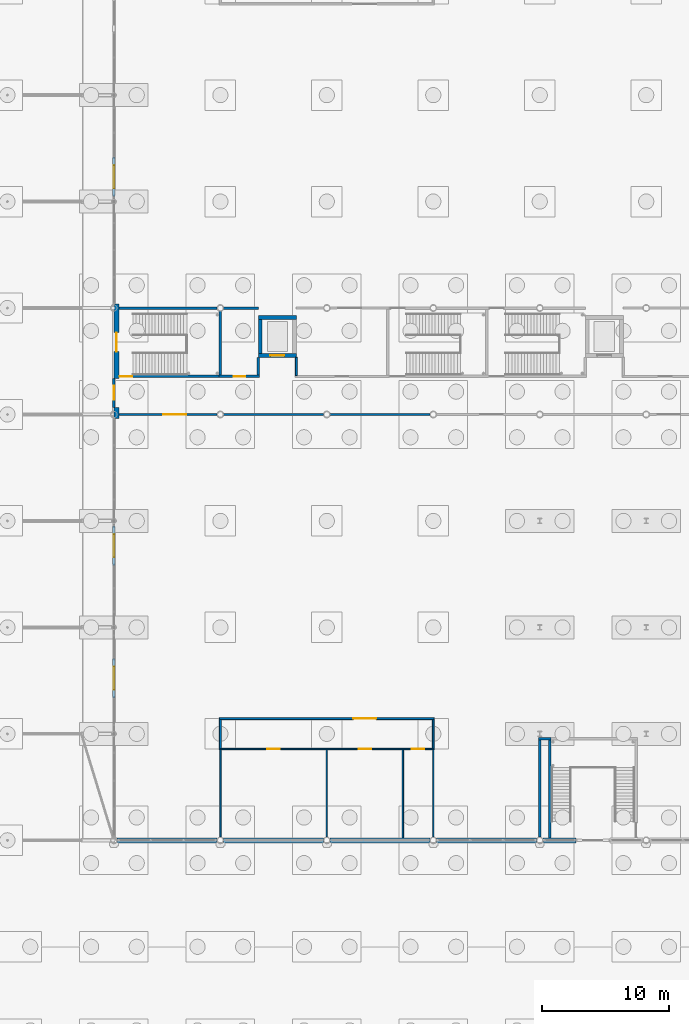
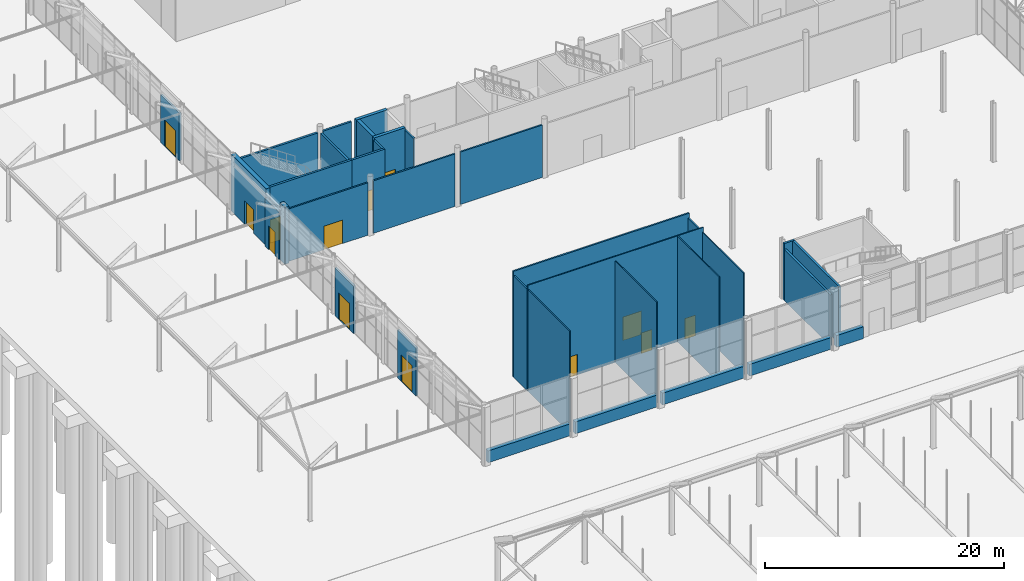
# One storey, part 181 of 212: 35 walls, 13 doors, 13 openings.
"""IFC4 building model written with IfcOpenShell, lengths in metres."""

from ifc_helpers import new_model, si_unit, direction, frame, frame_2d, origin, place, context, subcontext, project, spatial, rectangle, extrude, material, layer, layer_set, type_object, element, fill, save


model = new_model("IFC4")

# Units and contexts
model_context = context("Model", 3, precision=1e-05, world=origin(), true_north=direction((0.0, 1.0)))
body_context = subcontext(model_context, "Body", "Model", "MODEL_VIEW")
ifc_project = project(units=[si_unit("LENGTHUNIT", "METRE"), si_unit("AREAUNIT", "SQUARE_METRE"), si_unit("VOLUMEUNIT", "CUBIC_METRE"), si_unit("PLANEANGLEUNIT", "RADIAN"), si_unit("MASSUNIT", "GRAM", prefix="KILO")], contexts=[model_context])

# Site, building, storey
site_placement = place(None, origin())
site = spatial("IfcSite", under=ifc_project, at=site_placement, CompositionType="ELEMENT")
building_placement = place(site_placement, origin())
building = spatial("IfcBuilding", under=site, at=building_placement, Name="Catenary Quay Ferry Terminal", CompositionType="ELEMENT")
storey_placement = place(building_placement, origin())
storey = spatial("IfcBuildingStorey", under=building, at=storey_placement, Name="L00", CompositionType="ELEMENT", Elevation=0.0)

# Walls
ifc_material_1 = material(Name="Masonry and insulation", Category="masonry")
ifc_layer_1 = layer(ifc_material_1, 0.39990234375)
ifc_layer_set_1 = layer_set([ifc_layer_1], Name="EW14")
wall_type_1 = type_object("IfcWallType", Name="EW14", PredefinedType="SOLIDWALL", material=ifc_layer_set_1)
wall_1_placement = place(storey_placement, frame((25.4599609375, 67.199951171875, 0.0), z_axis=(0.0, 0.0, 1.0), x_axis=(1.0, 0.0, 0.0)))
element("IfcWall", 1, at=wall_1_placement, inside=storey, type_object=wall_type_1, Name="Plinth hall wall WL8", PredefinedType="SOLIDWALL", context=body_context, shape_type="SweptSolid", body=[
    extrude(rectangle(XDim=7.880126953125, YDim=0.39990234375, at=frame_2d((3.93994140625, 0.0))), origin(), (0.0, 0.0, 1.0), 1.199951171875),
])
for number, where, z_axis, x_axis, name in (
    (2, (33.860107421875, 67.199951171875, 0.0), (0.0, 0.0, 1.0), (1.0, 0.0, 0.0), "Plinth hall wall WL9"),
    (3, (42.260009765625, 67.199951171875, 0.0), (0.0, 0.0, 1.0), (1.0, 0.0, 0.0), "Plinth hall wall WL10"),
):
    element("IfcWall", number, at=place(storey_placement, frame(where, z_axis=z_axis, x_axis=x_axis)), inside=storey, type_object=wall_type_1, Name=name, PredefinedType="SOLIDWALL", context=body_context, shape_type="SweptSolid", body=[
        extrude(rectangle(XDim=7.8798828125, YDim=0.39990234375, at=frame_2d((3.93994140625, 0.0))), origin(), (0.0, 0.0, 1.0), 1.199951171875),
    ])
wall_2_placement = place(storey_placement, frame((50.659912109375, 67.199951171875, 0.0), z_axis=(0.0, 0.0, 1.0), x_axis=(1.0, 0.0, 0.0)))
element("IfcWall", 4, at=wall_2_placement, inside=storey, type_object=wall_type_1, Name="Plinth hall wall WL11", PredefinedType="SOLIDWALL", context=body_context, shape_type="SweptSolid", body=[
    extrude(rectangle(XDim=7.880126953125, YDim=0.39990234375, at=frame_2d((3.93994140625, 0.0))), origin(), (0.0, 0.0, 1.0), 1.199951171875),
])
wall_3_placement = place(storey_placement, frame((59.06005859375, 67.199951171875, 0.0), z_axis=(0.0, 0.0, 1.0), x_axis=(1.0, 0.0, 0.0)))
element("IfcWall", 5, at=wall_3_placement, inside=storey, type_object=wall_type_1, Name="Plinth hall wall WL12", PredefinedType="SOLIDWALL", context=body_context, shape_type="SweptSolid", body=[
    extrude(rectangle(XDim=2.58984375, YDim=0.39990234375, at=frame_2d((1.294921875, 0.0))), origin(), (0.0, 0.0, 1.0), 1.199951171875),
])
ifc_material_2 = material(Name="Masonry and insulation", Category="masonry")
ifc_layer_2 = layer(ifc_material_2, 0.39990234375)
ifc_layer_set_2 = layer_set([ifc_layer_2], Name="EW2")
wall_type_2 = type_object("IfcWallType", Name="EW2", PredefinedType="SOLIDWALL", material=ifc_layer_set_2)
wall_4_placement = place(storey_placement, frame((25.39990234375, 100.5, 0.0), z_axis=(0.0, 0.0, 1.0), x_axis=(0.0, 1.0, 0.0)))
element("IfcWall", 6, at=wall_4_placement, inside=storey, type_object=wall_type_2, Name="P12 wall WL167", PredefinedType="SOLIDWALL", context=body_context, shape_type="SweptSolid", body=[
    extrude(rectangle(XDim=0.85009765625, YDim=0.39990234375, at=frame_2d((0.425048828125, 0.0))), origin(), (0.0, 0.0, 1.0), 5.800048828125),
])

# Wall, opening, door
wall_5_placement = place(storey_placement, frame((25.39990234375, 103.64990234375, 0.0), z_axis=(0.0, 0.0, 1.0), x_axis=(0.0, 1.0, 0.0)))
wall_5 = element("IfcWall", 7, at=wall_5_placement, inside=storey, type_object=wall_type_2, Name="P13 wall WL168", PredefinedType="SOLIDWALL", context=body_context, shape_type="SweptSolid", body=[
    extrude(rectangle(XDim=5.85009765625, YDim=0.39990234375, at=frame_2d((2.925048828125, 0.0))), origin(), (0.0, 0.0, 1.0), 5.800048828125),
])
opening_1_placement = place(wall_5_placement, frame((2.10009765625, 0.0, 0.0)))
opening_1 = element("IfcOpeningElement", 8, at=opening_1_placement, cuts=wall_5, Name="Opening D30", PredefinedType="OPENING", context=body_context, shape_type="SweptSolid", body=[
    extrude(rectangle(XDim=1.5, YDim=2.39990234375, at=frame_2d((0.75, 1.199951171875))), frame((0.0, 0.2099609375, 0.0), z_axis=(0.0, -1.0, 0.0), x_axis=(1.0, 0.0, 0.0)), (0.0, 0.0, 1.0), 0.419921875),
])
ifc_material_3 = material(Name="Steel", Category="steel")
door_type_1 = type_object("IfcDoorType", Name="DXE1500", OperationType="SINGLE_SWING_LEFT", PredefinedType="DOOR", material=ifc_material_3)
door_1_placement = place(opening_1_placement, origin())
door_1 = element("IfcDoor", 9, at=door_1_placement, inside=storey, type_object=door_type_1, Name="TS1 door D30", OperationType="SINGLE_SWING_LEFT", OverallHeight=2.39990234375, OverallWidth=1.5, PredefinedType="DOOR", context=body_context, shape_type="SweptSolid", body=[
    extrude(rectangle(XDim=1.5, YDim=2.39990234375, at=frame_2d((0.75, 1.199951171875))), frame((0.0, 0.02490234375, 0.0), z_axis=(0.0, -1.0, 0.0), x_axis=(1.0, 0.0, 0.0)), (0.0, 0.0, 1.0), 0.050048828125),
])
fill(opening_1, door_1)

ifc_material_4 = material(Name="Masonry and insulation", Category="masonry")
ifc_layer_3 = layer(ifc_material_4, 0.199951171875)
ifc_layer_set_3 = layer_set([ifc_layer_3], Name="EW6")
wall_type_3 = type_object("IfcWallType", Name="EW6", PredefinedType="SOLIDWALL", material=ifc_layer_set_3)
wall_6_placement = place(storey_placement, frame((25.199951171875, 78.445068359375, 0.0), z_axis=(0.0, 0.0, 1.0), x_axis=(0.0, 1.0, 0.0)))
wall_6 = element("IfcWall", 10, at=wall_6_placement, inside=storey, type_object=wall_type_3, Name="Gable arrivals hall wall WL1", PredefinedType="SOLIDWALL", context=body_context, shape_type="SweptSolid", body=[
    extrude(rectangle(XDim=3.10986328125, YDim=0.199951171875, at=frame_2d((1.554931640625, 0.0))), origin(), (0.0, 0.0, 1.0), 4.873291015625),
])
opening_2_placement = place(wall_6_placement, frame((0.655029296875, 0.0, 0.0)))
opening_2 = element("IfcOpeningElement", 11, at=opening_2_placement, cuts=wall_6, Name="Opening D1", PredefinedType="OPENING", context=body_context, shape_type="SweptSolid", body=[
    extrude(rectangle(XDim=1.800048828125, YDim=2.699951171875, at=frame_2d((0.89990234375, 1.35009765625))), frame((0.0, 0.10986328125, 0.0), z_axis=(0.0, -1.0, 0.0), x_axis=(1.0, 0.0, 0.0)), (0.0, 0.0, 1.0), 0.219970703125),
])
ifc_material_5 = material(Name="Aluminium and glass", Category="aluminium")
door_type_2 = type_object("IfcDoorType", Name="DXT1800", OperationType="SLIDING_TO_LEFT", PredefinedType="DOOR", material=ifc_material_5)
door_2_placement = place(opening_2_placement, origin())
door_2 = element("IfcDoor", 12, at=door_2_placement, inside=storey, type_object=door_type_2, Name="Gable arrivals hall door D1", OperationType="SLIDING_TO_LEFT", OverallHeight=2.699951171875, OverallWidth=1.800048828125, PredefinedType="DOOR", context=body_context, shape_type="SweptSolid", body=[
    extrude(rectangle(XDim=1.800048828125, YDim=2.699951171875, at=frame_2d((0.89990234375, 1.35009765625))), frame((0.0, 0.02490234375, 0.0), z_axis=(0.0, -1.0, 0.0), x_axis=(1.0, 0.0, 0.0)), (0.0, 0.0, 1.0), 0.050048828125),
])
fill(opening_2, door_2)

wall_7_placement = place(storey_placement, frame((25.199951171875, 88.89501953125, 0.0), z_axis=(0.0, 0.0, 1.0), x_axis=(0.0, 1.0, 0.0)))
wall_7 = element("IfcWall", 13, at=wall_7_placement, inside=storey, type_object=wall_type_3, Name="Gable arrivals hall wall WL2", PredefinedType="SOLIDWALL", context=body_context, shape_type="SweptSolid", body=[
    extrude(rectangle(XDim=3.10986328125, YDim=0.199951171875, at=frame_2d((1.554931640625, 0.0))), origin(), (0.0, 0.0, 1.0), 4.873291015625),
])
opening_3_placement = place(wall_7_placement, frame((0.655029296875, 0.0, 0.0)))
opening_3 = element("IfcOpeningElement", 14, at=opening_3_placement, cuts=wall_7, Name="Opening D2", PredefinedType="OPENING", context=body_context, shape_type="SweptSolid", body=[
    extrude(rectangle(XDim=1.800048828125, YDim=2.699951171875, at=frame_2d((0.89990234375, 1.35009765625))), frame((0.0, 0.10986328125, 0.0), z_axis=(0.0, -1.0, 0.0), x_axis=(1.0, 0.0, 0.0)), (0.0, 0.0, 1.0), 0.219970703125),
])
door_3_placement = place(opening_3_placement, origin())
door_3 = element("IfcDoor", 15, at=door_3_placement, inside=storey, type_object=door_type_2, Name="Gable arrivals hall door D2", OperationType="SLIDING_TO_LEFT", OverallHeight=2.699951171875, OverallWidth=1.800048828125, PredefinedType="DOOR", context=body_context, shape_type="SweptSolid", body=[
    extrude(rectangle(XDim=1.800048828125, YDim=2.699951171875, at=frame_2d((0.89990234375, 1.35009765625))), frame((0.0, 0.02490234375, 0.0), z_axis=(0.0, -1.0, 0.0), x_axis=(1.0, 0.0, 0.0)), (0.0, 0.0, 1.0), 0.050048828125),
])
fill(opening_3, door_3)

wall_8_placement = place(storey_placement, frame((25.199951171875, 117.9951171875, 0.0), z_axis=(0.0, 0.0, 1.0), x_axis=(0.0, 1.0, 0.0)))
wall_8 = element("IfcWall", 16, at=wall_8_placement, inside=storey, type_object=wall_type_3, Name="Gable departure hall wall WL5", PredefinedType="SOLIDWALL", context=body_context, shape_type="SweptSolid", body=[
    extrude(rectangle(XDim=3.10986328125, YDim=0.199951171875, at=frame_2d((1.554931640625, 0.0))), origin(), (0.0, 0.0, 1.0), 4.873291015625),
])
opening_4_placement = place(wall_8_placement, frame((0.655029296875, 0.0, 0.0)))
opening_4 = element("IfcOpeningElement", 17, at=opening_4_placement, cuts=wall_8, Name="Opening D5", PredefinedType="OPENING", context=body_context, shape_type="SweptSolid", body=[
    extrude(rectangle(XDim=1.800048828125, YDim=2.699951171875, at=frame_2d((0.89990234375, 1.35009765625))), frame((0.0, 0.10986328125, 0.0), z_axis=(0.0, -1.0, 0.0), x_axis=(1.0, 0.0, 0.0)), (0.0, 0.0, 1.0), 0.219970703125),
])
door_4_placement = place(opening_4_placement, origin())
door_4 = element("IfcDoor", 18, at=door_4_placement, inside=storey, type_object=door_type_2, Name="Gable departure hall door D5", OperationType="SLIDING_TO_LEFT", OverallHeight=2.699951171875, OverallWidth=1.800048828125, PredefinedType="DOOR", context=body_context, shape_type="SweptSolid", body=[
    extrude(rectangle(XDim=1.800048828125, YDim=2.699951171875, at=frame_2d((0.89990234375, 1.35009765625))), frame((0.0, 0.02490234375, 0.0), z_axis=(0.0, -1.0, 0.0), x_axis=(1.0, 0.0, 0.0)), (0.0, 0.0, 1.0), 0.050048828125),
])
fill(opening_4, door_4)

wall_9_placement = place(storey_placement, frame((25.199951171875, 101.35009765625, 0.0), z_axis=(0.0, 0.0, 1.0), x_axis=(0.0, 1.0, 0.0)))
wall_9 = element("IfcWall", 19, at=wall_9_placement, inside=storey, type_object=wall_type_3, Name="Front spine corridor wall WL28", PredefinedType="SOLIDWALL", context=body_context, shape_type="SweptSolid", body=[
    extrude(rectangle(XDim=2.2998046875, YDim=0.199951171875, at=frame_2d((1.14990234375, 0.0))), origin(), (0.0, 0.0, 1.0), 4.873291015625),
])
opening_5_placement = place(wall_9_placement, frame((0.60009765625, 0.0, 0.0)))
opening_5 = element("IfcOpeningElement", 20, at=opening_5_placement, cuts=wall_9, Name="Opening D10", PredefinedType="OPENING", context=body_context, shape_type="SweptSolid", body=[
    extrude(rectangle(XDim=1.10009765625, YDim=2.39990234375, at=frame_2d((0.550048828125, 1.199951171875))), frame((0.0, 0.10986328125, 0.0), z_axis=(0.0, -1.0, 0.0), x_axis=(1.0, 0.0, 0.0)), (0.0, 0.0, 1.0), 0.219970703125),
])
ifc_material_6 = material(Name="Steel", Category="steel")
door_type_3 = type_object("IfcDoorType", Name="DXE1100", OperationType="SINGLE_SWING_LEFT", PredefinedType="DOOR", material=ifc_material_6)
door_5_placement = place(opening_5_placement, origin())
door_5 = element("IfcDoor", 21, at=door_5_placement, inside=storey, type_object=door_type_3, Name="Front spine corridor door D10", OperationType="SINGLE_SWING_LEFT", OverallHeight=2.39990234375, OverallWidth=1.10009765625, PredefinedType="DOOR", context=body_context, shape_type="SweptSolid", body=[
    extrude(rectangle(XDim=1.10009765625, YDim=2.39990234375, at=frame_2d((0.550048828125, 1.199951171875))), frame((0.0, 0.02490234375, 0.0), z_axis=(0.0, -1.0, 0.0), x_axis=(1.0, 0.0, 0.0)), (0.0, 0.0, 1.0), 0.050048828125),
])
fill(opening_5, door_5)

ifc_material_7 = material(Name="Plasterboard on steel studs", Category="steel")
ifc_layer_4 = layer(ifc_material_7, 0.14990234375)
ifc_layer_set_4 = layer_set([ifc_layer_4], Name="IP3")
wall_type_4 = type_object("IfcWallType", Name="IP3", PredefinedType="PARTITIONING", material=ifc_layer_set_4)
wall_10_placement = place(storey_placement, frame((25.60009765625, 100.800048828125, 0.0), z_axis=(0.0, 0.0, 1.0), x_axis=(1.0, 0.0, 0.0)))
wall_10 = element("IfcWall", 22, at=wall_10_placement, inside=storey, type_object=wall_type_4, Name="Partition L00 11", PredefinedType="PARTITIONING", context=body_context, shape_type="SweptSolid", body=[
    extrude(rectangle(XDim=7.745849609375, YDim=0.14990234375, at=frame_2d((3.873046875, 0.0))), origin(), (0.0, 0.0, 1.0), 5.34619140625),
])
opening_6_placement = place(wall_10_placement, frame((3.5, 0.0, 0.0)))
opening_6 = element("IfcOpeningElement", 23, at=opening_6_placement, cuts=wall_10, Name="Opening D60", PredefinedType="OPENING", context=body_context, shape_type="SweptSolid", body=[
    extrude(rectangle(XDim=1.800048828125, YDim=2.39990234375, at=frame_2d((0.89990234375, 1.199951171875))), frame((0.0, 0.0849609375, 0.0), z_axis=(0.0, -1.0, 0.0), x_axis=(1.0, 0.0, 0.0)), (0.0, 0.0, 1.0), 0.169921875),
])
ifc_material_8 = material(Name="Aluminium and glass", Category="aluminium")
door_type_4 = type_object("IfcDoorType", Name="DI6", OperationType="DOUBLE_DOOR_SINGLE_SWING", PredefinedType="DOOR", material=ifc_material_8)
door_6_placement = place(opening_6_placement, origin())
door_6 = element("IfcDoor", 24, at=door_6_placement, inside=storey, type_object=door_type_4, Name="Terminal Spine Corridor to Arrivals Hall", OperationType="DOUBLE_DOOR_SINGLE_SWING", OverallHeight=2.39990234375, OverallWidth=1.800048828125, PredefinedType="DOOR", context=body_context, shape_type="SweptSolid", body=[
    extrude(rectangle(XDim=1.800048828125, YDim=2.39990234375, at=frame_2d((0.89990234375, 1.199951171875))), frame((0.0, 0.02490234375, 0.0), z_axis=(0.0, -1.0, 0.0), x_axis=(1.0, 0.0, 0.0)), (0.0, 0.0, 1.0), 0.050048828125),
])
fill(opening_6, door_6)

# Walls
for number, where, z_axis, x_axis, name in (
    (25, (33.85400390625, 100.800048828125, 0.0), (0.0, 0.0, 1.0), (1.0, 0.0, 0.0), "Partition L00 12"),
    (26, (42.25390625, 100.800048828125, 0.0), (0.0, 0.0, 1.0), (1.0, 0.0, 0.0), "Partition L00 13"),
):
    element("IfcWall", number, at=place(storey_placement, frame(where, z_axis=z_axis, x_axis=x_axis)), inside=storey, type_object=wall_type_4, Name=name, PredefinedType="PARTITIONING", context=body_context, shape_type="SweptSolid", body=[
        extrude(rectangle(XDim=7.89208984375, YDim=0.14990234375, at=frame_2d((3.946044921875, 0.0))), origin(), (0.0, 0.0, 1.0), 5.34619140625),
    ])
wall_11_placement = place(storey_placement, frame((39.60009765625, 103.875, 0.0), z_axis=(0.0, 0.0, 1.0), x_axis=(0.0, 1.0, 0.0)))
element("IfcWall", 27, at=wall_11_placement, inside=storey, type_object=wall_type_4, Name="Partition L00 81", PredefinedType="PARTITIONING", context=body_context, shape_type="SweptSolid", body=[
    extrude(rectangle(XDim=1.425048828125, YDim=0.14990234375, at=frame_2d((0.71240234375, 0.0))), origin(), (0.0, 0.0, 1.0), 5.800048828125),
])

# Wall, opening, door
ifc_material_9 = material(Name="Blockwork and plaster", Category="masonry")
ifc_layer_5 = layer(ifc_material_9, 0.199951171875)
ifc_layer_set_5 = layer_set([ifc_layer_5], Name="IP4")
wall_type_5 = type_object("IfcWallType", Name="IP4", PredefinedType="PARTITIONING", material=ifc_layer_set_5)
wall_12_placement = place(storey_placement, frame((25.60009765625, 103.800048828125, 0.0), z_axis=(0.0, 0.0, 1.0), x_axis=(1.0, 0.0, 0.0)))
wall_12 = element("IfcWall", 28, at=wall_12_placement, inside=storey, type_object=wall_type_5, Name="Partition L00 19", PredefinedType="PARTITIONING", context=body_context, shape_type="SweptSolid", body=[
    extrude(rectangle(XDim=8.099853515625, YDim=0.199951171875, at=frame_2d((4.0498046875, 0.0))), origin(), (0.0, 0.0, 1.0), 5.800048828125),
])
opening_7_placement = place(wall_12_placement, frame((0.054931640625, 0.0, 0.0)))
opening_7 = element("IfcOpeningElement", 29, at=opening_7_placement, cuts=wall_12, Name="Opening D51", PredefinedType="OPENING", context=body_context, shape_type="SweptSolid", body=[
    extrude(rectangle(XDim=1.0, YDim=2.39990234375, at=frame_2d((0.5, 1.199951171875))), frame((0.0, 0.10986328125, 0.0), z_axis=(0.0, -1.0, 0.0), x_axis=(1.0, 0.0, 0.0)), (0.0, 0.0, 1.0), 0.219970703125),
])
ifc_material_10 = material(Name="Steel", Category="steel")
door_type_5 = type_object("IfcDoorType", Name="DI13", OperationType="SINGLE_SWING_LEFT", PredefinedType="DOOR", material=ifc_material_10)
door_7_placement = place(opening_7_placement, origin())
door_7 = element("IfcDoor", 30, at=door_7_placement, inside=storey, type_object=door_type_5, Name="Stair TS1 to Terminal Spine Corridor", OperationType="SINGLE_SWING_LEFT", OverallHeight=2.39990234375, OverallWidth=1.0, PredefinedType="DOOR", context=body_context, shape_type="SweptSolid", body=[
    extrude(rectangle(XDim=1.0, YDim=2.39990234375, at=frame_2d((0.5, 1.199951171875))), frame((0.0, 0.02490234375, 0.0), z_axis=(0.0, -1.0, 0.0), x_axis=(1.0, 0.0, 0.0)), (0.0, 0.0, 1.0), 0.050048828125),
])
fill(opening_7, door_7)

# Walls
wall_13_placement = place(storey_placement, frame((25.60009765625, 109.199951171875, 0.0), z_axis=(0.0, 0.0, 1.0), x_axis=(1.0, 0.0, 0.0)))
element("IfcWall", 31, at=wall_13_placement, inside=storey, type_object=wall_type_5, Name="Partition L00 26", PredefinedType="PARTITIONING", context=body_context, shape_type="SweptSolid", body=[
    extrude(rectangle(XDim=7.745849609375, YDim=0.199951171875, at=frame_2d((3.873046875, 0.0))), origin(), (0.0, 0.0, 1.0), 5.34619140625),
])
wall_14_placement = place(storey_placement, frame((33.60009765625, 103.89990234375, 0.0), z_axis=(0.0, 0.0, 1.0), x_axis=(0.0, 1.0, 0.0)))
element("IfcWall", 32, at=wall_14_placement, inside=storey, type_object=wall_type_5, Name="Partition L00 70", PredefinedType="PARTITIONING", context=body_context, shape_type="SweptSolid", body=[
    extrude(rectangle(XDim=5.046142578125, YDim=0.199951171875, at=frame_2d((2.52294921875, 0.0))), origin(), (0.0, 0.0, 1.0), 5.34619140625),
])
wall_15_placement = place(storey_placement, frame((59.60009765625, 67.39990234375, 0.0), z_axis=(0.0, 0.0, 1.0), x_axis=(0.0, 1.0, 0.0)))
element("IfcWall", 33, at=wall_15_placement, inside=storey, type_object=wall_type_5, Name="Partition L00 102", PredefinedType="PARTITIONING", context=body_context, shape_type="SweptSolid", body=[
    extrude(rectangle(XDim=7.7001953125, YDim=0.199951171875, at=frame_2d((3.85009765625, 0.0))), origin(), (0.0, 0.0, 1.0), 5.800048828125),
])
ifc_material_11 = material(Name="Blockwork and plaster", Category="masonry")
ifc_layer_6 = layer(ifc_material_11, 0.199951171875)
ifc_layer_set_6 = layer_set([ifc_layer_6], Name="IP6")
wall_type_6 = type_object("IfcWallType", Name="IP6", PredefinedType="PARTITIONING", material=ifc_layer_set_6)
wall_16_placement = place(storey_placement, frame((58.699951171875, 75.199951171875, 0.0), z_axis=(0.0, 0.0, 1.0), x_axis=(1.0, 0.0, 0.0)))
element("IfcWall", 34, at=wall_16_placement, inside=storey, type_object=wall_type_6, Name="Partition L00 3", PredefinedType="PARTITIONING", context=body_context, shape_type="SweptSolid", body=[
    extrude(rectangle(XDim=1.0, YDim=0.199951171875, at=frame_2d((0.5, 0.0))), origin(), (0.0, 0.0, 1.0), 5.800048828125),
])

# Wall, opening, door
wall_17_placement = place(storey_placement, frame((33.5, 103.800048828125, 0.0), z_axis=(0.0, 0.0, 1.0), x_axis=(1.0, 0.0, 0.0)))
wall_17 = element("IfcWall", 35, at=wall_17_placement, inside=storey, type_object=wall_type_6, Name="Partition L00 20", PredefinedType="PARTITIONING", context=body_context, shape_type="SweptSolid", body=[
    extrude(rectangle(XDim=3.199951171875, YDim=0.199951171875, at=frame_2d((1.60009765625, 0.0))), origin(), (0.0, 0.0, 1.0), 5.800048828125),
])
opening_8_placement = place(wall_17_placement, frame((1.14990234375, 0.0, 0.0)))
opening_8 = element("IfcOpeningElement", 36, at=opening_8_placement, cuts=wall_17, Name="Opening D52", PredefinedType="OPENING", context=body_context, shape_type="SweptSolid", body=[
    extrude(rectangle(XDim=0.89990234375, YDim=2.10009765625, at=frame_2d((0.449951171875, 1.050048828125))), frame((0.0, 0.10986328125, 0.0), z_axis=(0.0, -1.0, 0.0), x_axis=(1.0, 0.0, 0.0)), (0.0, 0.0, 1.0), 0.219970703125),
])
ifc_material_12 = material(Name="Steel", Category="steel")
door_type_6 = type_object("IfcDoorType", Name="DI9", OperationType="SINGLE_SWING_LEFT", PredefinedType="DOOR", material=ifc_material_12)
door_8_placement = place(opening_8_placement, origin())
door_8 = element("IfcDoor", 37, at=door_8_placement, inside=storey, type_object=door_type_6, Name="Terminal Riser Room to Terminal Spine Corridor", OperationType="SINGLE_SWING_LEFT", OverallHeight=2.10009765625, OverallWidth=0.89990234375, PredefinedType="DOOR", context=body_context, shape_type="SweptSolid", body=[
    extrude(rectangle(XDim=0.89990234375, YDim=2.10009765625, at=frame_2d((0.449951171875, 1.050048828125))), frame((0.0, 0.02490234375, 0.0), z_axis=(0.0, -1.0, 0.0), x_axis=(1.0, 0.0, 0.0)), (0.0, 0.0, 1.0), 0.050048828125),
])
fill(opening_8, door_8)

# Walls
wall_18_placement = place(storey_placement, frame((33.85400390625, 109.199951171875, 0.0), z_axis=(0.0, 0.0, 1.0), x_axis=(1.0, 0.0, 0.0)))
element("IfcWall", 38, at=wall_18_placement, inside=storey, type_object=wall_type_6, Name="Partition L00 27", PredefinedType="PARTITIONING", context=body_context, shape_type="SweptSolid", body=[
    extrude(rectangle(XDim=2.74609375, YDim=0.199951171875, at=frame_2d((1.373046875, 0.0))), origin(), (0.0, 0.0, 1.0), 5.34619140625),
])
wall_19_placement = place(storey_placement, frame((36.60009765625, 103.89990234375, 0.0), z_axis=(0.0, 0.0, 1.0), x_axis=(0.0, 1.0, 0.0)))
element("IfcWall", 39, at=wall_19_placement, inside=storey, type_object=wall_type_6, Name="Partition L00 76", PredefinedType="PARTITIONING", context=body_context, shape_type="SweptSolid", body=[
    extrude(rectangle(XDim=1.400146484375, YDim=0.199951171875, at=frame_2d((0.7001953125, 0.0))), origin(), (0.0, 0.0, 1.0), 5.800048828125),
])
wall_20_placement = place(storey_placement, frame((58.800048828125, 67.4541015625, 0.0), z_axis=(0.0, 0.0, 1.0), x_axis=(0.0, 1.0, 0.0)))
element("IfcWall", 40, at=wall_20_placement, inside=storey, type_object=wall_type_6, Name="Partition L00 99", PredefinedType="PARTITIONING", context=body_context, shape_type="SweptSolid", body=[
    extrude(rectangle(XDim=7.64599609375, YDim=0.199951171875, at=frame_2d((3.822998046875, 0.0))), origin(), (0.0, 0.0, 1.0), 5.19775390625),
])

# Wall, opening, door
ifc_material_13 = material(Name="Plasterboard on steel studs", Category="steel")
ifc_layer_7 = layer(ifc_material_13, 0.14990234375)
ifc_layer_set_7 = layer_set([ifc_layer_7], Name="IP7")
wall_type_7 = type_object("IfcWallType", Name="IP7", PredefinedType="PARTITIONING", material=ifc_layer_set_7)
wall_21_placement = place(storey_placement, frame((33.52490234375, 76.800048828125, 0.0), z_axis=(0.0, 0.0, 1.0), x_axis=(1.0, 0.0, 0.0)))
wall_21 = element("IfcWall", 41, at=wall_21_placement, inside=storey, type_object=wall_type_7, Name="Partition L00 7", PredefinedType="PARTITIONING", context=body_context, shape_type="SweptSolid", body=[
    extrude(rectangle(XDim=16.9501953125, YDim=0.14990234375, at=frame_2d((8.47509765625, 0.0))), origin(), (0.0, 0.0, 1.0), 10.800048828125),
])
opening_9_placement = place(wall_21_placement, frame((10.574951171875, 0.0, 0.0)))
opening_9 = element("IfcOpeningElement", 42, at=opening_9_placement, cuts=wall_21, Name="Opening D46", PredefinedType="OPENING", context=body_context, shape_type="SweptSolid", body=[
    extrude(rectangle(XDim=1.800048828125, YDim=2.39990234375, at=frame_2d((0.89990234375, 1.199951171875))), frame((0.0, 0.0849609375, 0.0), z_axis=(0.0, -1.0, 0.0), x_axis=(1.0, 0.0, 0.0)), (0.0, 0.0, 1.0), 0.169921875),
])
door_9_placement = place(opening_9_placement, frame((1.800048828125, 0.0, 0.0), z_axis=(0.0, 0.0, 1.0), x_axis=(-1.0, 0.0, 0.0)))
door_9 = element("IfcDoor", 43, at=door_9_placement, inside=storey, type_object=door_type_4, Name="Arrivals WC Lobby to Arrivals Hall", OperationType="DOUBLE_DOOR_SINGLE_SWING", OverallHeight=2.39990234375, OverallWidth=1.800048828125, PredefinedType="DOOR", context=body_context, shape_type="SweptSolid", body=[
    extrude(rectangle(XDim=1.800048828125, YDim=2.39990234375, at=frame_2d((0.89990234375, 1.199951171875))), frame((0.0, 0.02490234375, 0.0), z_axis=(0.0, -1.0, 0.0), x_axis=(1.0, 0.0, 0.0)), (0.0, 0.0, 1.0), 0.050048828125),
])
fill(opening_9, door_9)

# Walls
for number, where, z_axis, x_axis, name in (
    (44, (33.60009765625, 74.449951171875, 0.0), (0.0, 0.0, 1.0), (0.0, 1.0, 0.0), "Partition L00 69"),
    (45, (50.39990234375, 74.449951171875, 0.0), (0.0, 0.0, 1.0), (0.0, 1.0, 0.0), "Partition L00 93"),
):
    element("IfcWall", number, at=place(storey_placement, frame(where, z_axis=z_axis, x_axis=x_axis)), inside=storey, type_object=wall_type_7, Name=name, PredefinedType="PARTITIONING", context=body_context, shape_type="SweptSolid", body=[
        extrude(rectangle(XDim=2.275146484375, YDim=0.14990234375, at=frame_2d((1.1376953125, 0.0))), origin(), (0.0, 0.0, 1.0), 10.338134765625),
    ])

# Wall, openings, doors
ifc_material_14 = material(Name="Plasterboard on steel studs", Category="steel")
ifc_layer_8 = layer(ifc_material_14, 0.10009765625)
ifc_layer_set_8 = layer_set([ifc_layer_8], Name="IP8")
wall_type_8 = type_object("IfcWallType", Name="IP8", PredefinedType="PARTITIONING", material=ifc_layer_set_8)
wall_22_placement = place(storey_placement, frame((33.52490234375, 74.39990234375, 0.0), z_axis=(0.0, 0.0, 1.0), x_axis=(1.0, 0.0, 0.0)))
wall_22 = element("IfcWall", 46, at=wall_22_placement, inside=storey, type_object=wall_type_8, Name="Partition L00 2", PredefinedType="PARTITIONING", context=body_context, shape_type="SweptSolid", body=[
    extrude(rectangle(XDim=16.9501953125, YDim=0.10009765625, at=frame_2d((8.47509765625, 0.0))), origin(), (0.0, 0.0, 1.0), 10.800048828125),
])
opening_10_placement = place(wall_22_placement, frame((3.77490234375, 0.0, 0.0)))
opening_10 = element("IfcOpeningElement", 47, at=opening_10_placement, cuts=wall_22, Name="Opening D43", PredefinedType="OPENING", context=body_context, shape_type="SweptSolid", body=[
    extrude(rectangle(XDim=1.0, YDim=2.10009765625, at=frame_2d((0.5, 1.050048828125))), frame((0.0, 0.06005859375, 0.0), z_axis=(0.0, -1.0, 0.0), x_axis=(1.0, 0.0, 0.0)), (0.0, 0.0, 1.0), 0.1201171875),
])
opening_11_placement = place(wall_22_placement, frame((10.97509765625, 0.0, 0.0)))
opening_11 = element("IfcOpeningElement", 48, at=opening_11_placement, cuts=wall_22, Name="Opening D44", PredefinedType="OPENING", context=body_context, shape_type="SweptSolid", body=[
    extrude(rectangle(XDim=1.0, YDim=2.10009765625, at=frame_2d((0.5, 1.050048828125))), frame((0.0, 0.06005859375, 0.0), z_axis=(0.0, -1.0, 0.0), x_axis=(1.0, 0.0, 0.0)), (0.0, 0.0, 1.0), 0.1201171875),
])
opening_12_placement = place(wall_22_placement, frame((15.175048828125, 0.0, 0.0)))
opening_12 = element("IfcOpeningElement", 49, at=opening_12_placement, cuts=wall_22, Name="Opening D45", PredefinedType="OPENING", context=body_context, shape_type="SweptSolid", body=[
    extrude(rectangle(XDim=1.0, YDim=2.10009765625, at=frame_2d((0.5, 1.050048828125))), frame((0.0, 0.06005859375, 0.0), z_axis=(0.0, -1.0, 0.0), x_axis=(1.0, 0.0, 0.0)), (0.0, 0.0, 1.0), 0.1201171875),
])
ifc_material_15 = material(Name="Timber", Category="wood")
door_type_7 = type_object("IfcDoorType", Name="DI8", OperationType="SINGLE_SWING_LEFT", PredefinedType="DOOR", material=ifc_material_15)
door_10_placement = place(opening_10_placement, frame((1.0, 0.0, 0.0), z_axis=(0.0, 0.0, 1.0), x_axis=(-1.0, 0.0, 0.0)))
door_10 = element("IfcDoor", 50, at=door_10_placement, inside=storey, type_object=door_type_7, Name="Arrivals Women WC to Arrivals WC Lobby", OperationType="SINGLE_SWING_RIGHT", OverallHeight=2.10009765625, OverallWidth=1.0, PredefinedType="DOOR", context=body_context, shape_type="SweptSolid", body=[
    extrude(rectangle(XDim=1.0, YDim=2.10009765625, at=frame_2d((0.5, 1.050048828125))), frame((0.0, 0.02490234375, 0.0), z_axis=(0.0, -1.0, 0.0), x_axis=(1.0, 0.0, 0.0)), (0.0, 0.0, 1.0), 0.050048828125),
])
fill(opening_10, door_10)
door_11_placement = place(opening_11_placement, frame((1.0, 0.0, 0.0), z_axis=(0.0, 0.0, 1.0), x_axis=(-1.0, 0.0, 0.0)))
door_11 = element("IfcDoor", 51, at=door_11_placement, inside=storey, type_object=door_type_7, Name="Arrivals Men WC to Arrivals WC Lobby", OperationType="SINGLE_SWING_RIGHT", OverallHeight=2.10009765625, OverallWidth=1.0, PredefinedType="DOOR", context=body_context, shape_type="SweptSolid", body=[
    extrude(rectangle(XDim=1.0, YDim=2.10009765625, at=frame_2d((0.5, 1.050048828125))), frame((0.0, 0.02490234375, 0.0), z_axis=(0.0, -1.0, 0.0), x_axis=(1.0, 0.0, 0.0)), (0.0, 0.0, 1.0), 0.050048828125),
])
fill(opening_11, door_11)
door_12_placement = place(opening_12_placement, frame((1.0, 0.0, 0.0), z_axis=(0.0, 0.0, 1.0), x_axis=(-1.0, 0.0, 0.0)))
door_12 = element("IfcDoor", 52, at=door_12_placement, inside=storey, type_object=door_type_7, Name="Arrivals Accessible WC to Arrivals WC Lobby", OperationType="SINGLE_SWING_RIGHT", OverallHeight=2.10009765625, OverallWidth=1.0, PredefinedType="DOOR", context=body_context, shape_type="SweptSolid", body=[
    extrude(rectangle(XDim=1.0, YDim=2.10009765625, at=frame_2d((0.5, 1.050048828125))), frame((0.0, 0.02490234375, 0.0), z_axis=(0.0, -1.0, 0.0), x_axis=(1.0, 0.0, 0.0)), (0.0, 0.0, 1.0), 0.050048828125),
])
fill(opening_12, door_12)

# Walls
for number, where, z_axis, x_axis, name in (
    (53, (33.60009765625, 67.4541015625, 0.0), (0.0, 0.0, 1.0), (0.0, 1.0, 0.0), "Partition L00 68"),
    (54, (42.0, 67.4541015625, 0.0), (0.0, 0.0, 1.0), (0.0, 1.0, 0.0), "Partition L00 84"),
):
    element("IfcWall", number, at=place(storey_placement, frame(where, z_axis=z_axis, x_axis=x_axis)), inside=storey, type_object=wall_type_8, Name=name, PredefinedType="PARTITIONING", context=body_context, shape_type="SweptSolid", body=[
        extrude(rectangle(XDim=6.89599609375, YDim=0.10009765625, at=frame_2d((3.447998046875, 0.0))), origin(), (0.0, 0.0, 1.0), 10.338134765625),
    ])
wall_23_placement = place(storey_placement, frame((48.0, 67.39990234375, 0.0), z_axis=(0.0, 0.0, 1.0), x_axis=(0.0, 1.0, 0.0)))
element("IfcWall", 55, at=wall_23_placement, inside=storey, type_object=wall_type_8, Name="Partition L00 90", PredefinedType="PARTITIONING", context=body_context, shape_type="SweptSolid", body=[
    extrude(rectangle(XDim=6.9501953125, YDim=0.10009765625, at=frame_2d((3.47509765625, 0.0))), origin(), (0.0, 0.0, 1.0), 10.800048828125),
])
wall_24_placement = place(storey_placement, frame((50.39990234375, 67.4541015625, 0.0), z_axis=(0.0, 0.0, 1.0), x_axis=(0.0, 1.0, 0.0)))
element("IfcWall", 56, at=wall_24_placement, inside=storey, type_object=wall_type_8, Name="Partition L00 92", PredefinedType="PARTITIONING", context=body_context, shape_type="SweptSolid", body=[
    extrude(rectangle(XDim=6.89599609375, YDim=0.10009765625, at=frame_2d((3.447998046875, 0.0))), origin(), (0.0, 0.0, 1.0), 10.338134765625),
])

# Wall, opening, door
ifc_material_16 = material(Name="Concrete C50/60", Category="concrete")
ifc_layer_9 = layer(ifc_material_16, 0.300048828125)
ifc_layer_set_9 = layer_set([ifc_layer_9], Name="Shaft wall 300")
wall_type_9 = type_object("IfcWallType", Name="Shaft wall 300", PredefinedType="SHEAR", material=ifc_layer_set_9)
wall_25_placement = place(storey_placement, frame((36.60009765625, 105.449951171875, -1.60009765625), z_axis=(0.0, 0.0, 1.0), x_axis=(1.0, 0.0, 0.0)))
wall_25 = element("IfcWall", 57, at=wall_25_placement, inside=storey, type_object=wall_type_9, Name="Shaft wall TL1 S", PredefinedType="SHEAR", context=body_context, shape_type="SweptSolid", body=[
    extrude(rectangle(XDim=3.0, YDim=0.300048828125, at=frame_2d((1.5, 0.0))), origin(), (0.0, 0.0, 1.0), 7.60009765625),
])
opening_13_placement = place(wall_25_placement, frame((0.949951171875, 0.0, 1.60009765625)))
opening_13 = element("IfcOpeningElement", 58, at=opening_13_placement, cuts=wall_25, Name="Opening LD35", PredefinedType="OPENING", context=body_context, shape_type="SweptSolid", body=[
    extrude(rectangle(XDim=1.10009765625, YDim=2.10009765625, at=frame_2d((0.550048828125, 1.050048828125))), frame((0.0, 0.159912109375, 0.0), z_axis=(0.0, -1.0, 0.0), x_axis=(1.0, 0.0, 0.0)), (0.0, 0.0, 1.0), 0.320068359375),
])
ifc_material_17 = material(Name="Stainless steel", Category="steel")
door_type_8 = type_object("IfcDoorType", Name="DL1", OperationType="SLIDING_TO_LEFT", PredefinedType="DOOR", material=ifc_material_17)
door_13_placement = place(opening_13_placement, origin())
door_13 = element("IfcDoor", 59, at=door_13_placement, inside=storey, type_object=door_type_8, Name="Lift TL1 landing door L00", OperationType="SLIDING_TO_LEFT", OverallHeight=2.10009765625, OverallWidth=1.10009765625, PredefinedType="DOOR", context=body_context, shape_type="SweptSolid", body=[
    extrude(rectangle(XDim=1.10009765625, YDim=2.10009765625, at=frame_2d((0.550048828125, 1.050048828125))), frame((0.0, 0.02490234375, 0.0), z_axis=(0.0, -1.0, 0.0), x_axis=(1.0, 0.0, 0.0)), (0.0, 0.0, 1.0), 0.050048828125),
])
fill(opening_13, door_13)

# Walls
wall_26_placement = place(storey_placement, frame((36.75, 105.60009765625, -1.60009765625), z_axis=(0.0, 0.0, 1.0), x_axis=(0.0, 1.0, 0.0)))
element("IfcWall", 60, at=wall_26_placement, inside=storey, type_object=wall_type_9, Name="Shaft wall TL1 W", PredefinedType="SHEAR", context=body_context, shape_type="SweptSolid", body=[
    extrude(rectangle(XDim=2.699951171875, YDim=0.300048828125, at=frame_2d((1.35009765625, 0.0))), origin(), (0.0, 0.0, 1.0), 7.60009765625),
])
wall_27_placement = place(storey_placement, frame((36.60009765625, 108.449951171875, -1.60009765625), z_axis=(0.0, 0.0, 1.0), x_axis=(1.0, 0.0, 0.0)))
element("IfcWall", 61, at=wall_27_placement, inside=storey, type_object=wall_type_9, Name="Shaft wall TL1 N", PredefinedType="SHEAR", context=body_context, shape_type="SweptSolid", body=[
    extrude(rectangle(XDim=3.0, YDim=0.300048828125, at=frame_2d((1.5, 0.0))), origin(), (0.0, 0.0, 1.0), 7.60009765625),
])

save(model, "model.ifc")
